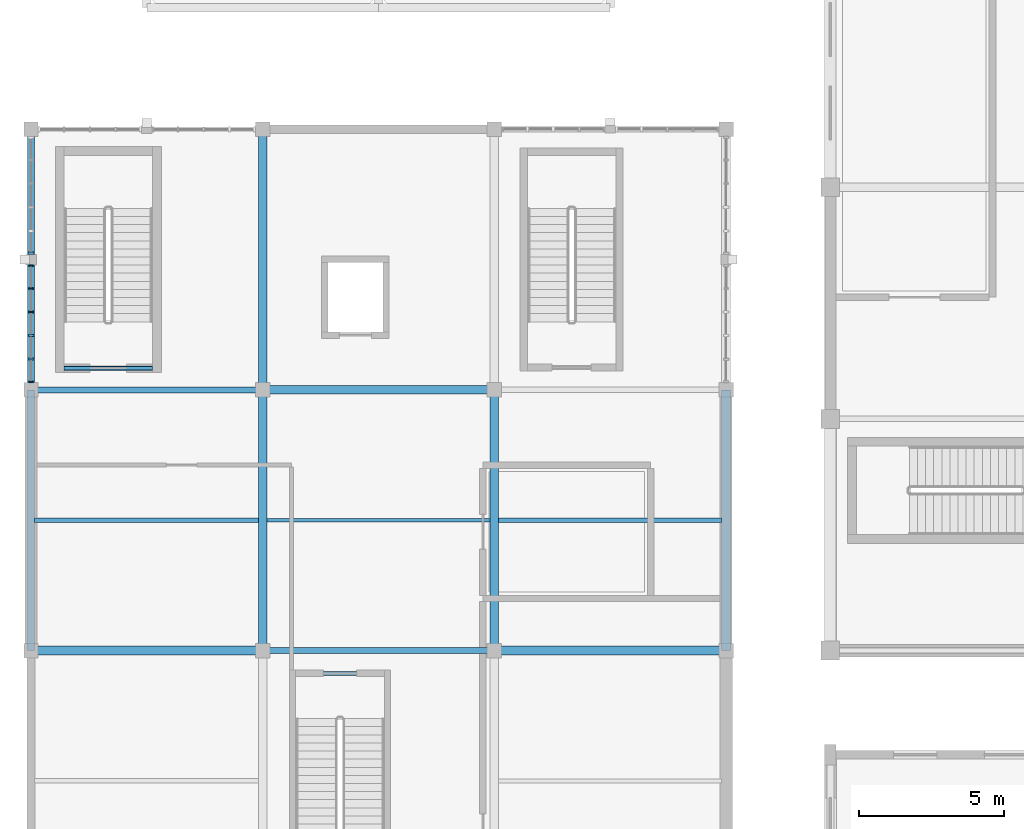
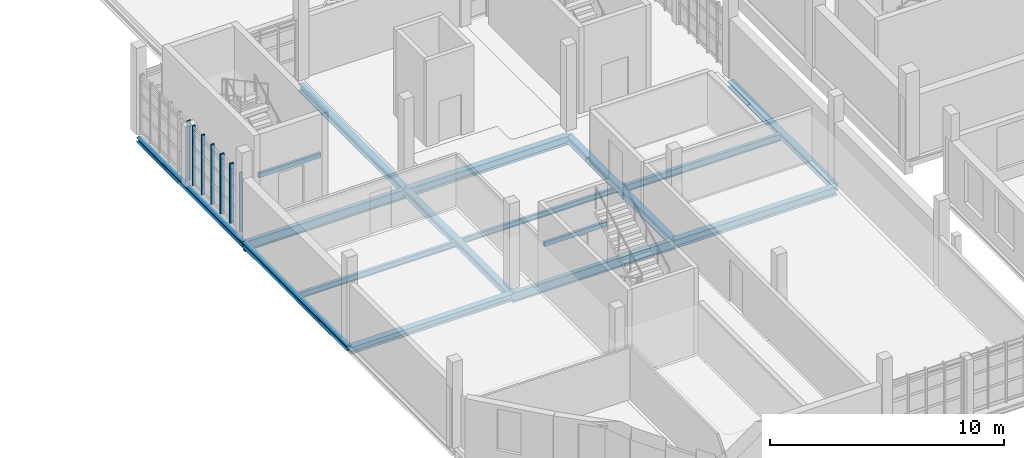
# One storey, part 15 of 125: 16 beams, 7 members, 2 elements without a shape of their own.
"""IFC4 building model written with IfcOpenShell, lengths in metres."""

from ifc_helpers import new_model, si_unit, direction, frame, origin, origin_2d, place, context, subcontext, project, spatial, rectangle, hollow_rectangle, i_section, extrude, material, material_profile, profile_set, type_object, element, aggregate, save


model = new_model("IFC4")

# Units and contexts
model_context = context("Model", 3, precision=1e-05, world=origin(), true_north=direction((0.0, 1.0)))
body_context = subcontext(model_context, "Body", "Model", "MODEL_VIEW")
ifc_project = project(units=[si_unit("LENGTHUNIT", "METRE"), si_unit("AREAUNIT", "SQUARE_METRE"), si_unit("VOLUMEUNIT", "CUBIC_METRE"), si_unit("PLANEANGLEUNIT", "RADIAN"), si_unit("MASSUNIT", "GRAM", prefix="KILO")], contexts=[model_context])

# Site, building, storey
site_placement = place(None, origin())
site = spatial("IfcSite", under=ifc_project, at=site_placement, CompositionType="ELEMENT")
building_placement = place(site_placement, origin())
building = spatial("IfcBuilding", under=site, at=building_placement, Name="Serraforn Aerial Cableway Station", CompositionType="ELEMENT")
storey_placement = place(building_placement, frame((0.0, 0.0, 4.5)))
storey = spatial("IfcBuildingStorey", under=building, at=storey_placement, Name="L01", CompositionType="ELEMENT", Elevation=4.5)

# Beams
ifc_material_1 = material(Name="Steel S355JR", Category="steel")
ifc_material_profile_1 = material_profile(ifc_material_1, i_section(OverallWidth=0.239990234375, OverallDepth=0.239990234375, WebThickness=0.007568359375, FlangeThickness=0.011962890625, FilletRadius=0.02099609375, at=origin_2d()), Name="HEA 240")
ifc_profile_set_1 = profile_set([ifc_material_profile_1], Name="Steel S355JR")
beam_type_1 = type_object("IfcBeamType", Name="BM-ST-HEA240", PredefinedType="BEAM", material=ifc_profile_set_1)
for number, where, z_axis, x_axis, name in (
    (1, (0.0, 18.0, -0.43994140625), (0.0, 1.0, 0.0), (-1.0, 0.0, 0.0), "Grid Girder Y W L01 X1-2"),
    (2, (0.0, 27.0, -0.43994140625), (0.0, 1.0, 0.0), (-1.0, 0.0, 0.0), "Grid Girder Y W L01 X1-3"),
):
    element("IfcBeam", number, at=place(storey_placement, frame(where, z_axis=z_axis, x_axis=x_axis)), inside=storey, type_object=beam_type_1, Name=name, PredefinedType="BEAM", context=body_context, shape_type="SweptSolid", body=[
        extrude(i_section(OverallWidth=0.239990234375, OverallDepth=0.239990234375, WebThickness=0.007568359375, FlangeThickness=0.011962890625, FilletRadius=0.02099609375, at=origin_2d()), origin(), (0.0, 0.0, 1.0), 9.0),
    ])
ifc_material_profile_2 = material_profile(ifc_material_1, i_section(OverallWidth=0.300048828125, OverallDepth=0.360107421875, WebThickness=0.010009765625, FlangeThickness=0.017578125, FilletRadius=0.027099609375, at=origin_2d()), Name="HEA 360")
ifc_profile_set_2 = profile_set([ifc_material_profile_2], Name="Steel S355JR")
beam_type_2 = type_object("IfcBeamType", Name="BM-ST-HEA360", PredefinedType="BEAM", material=ifc_profile_set_2)
for number, where, z_axis, x_axis, name in (
    (3, (8.0, 18.0, -0.5), (0.0, 1.0, 0.0), (-1.0, 0.0, 0.0), "Grid Girder Y W L01 X2-3"),
    (4, (8.0, 27.0, -0.5), (0.0, 1.0, 0.0), (-1.0, 0.0, 0.0), "Grid Girder Y W L01 X2-4"),
    (5, (16.0, 18.0, -0.5), (0.0, 1.0, 0.0), (-1.0, 0.0, 0.0), "Grid Girder Y W L01 X3-3"),
):
    element("IfcBeam", number, at=place(storey_placement, frame(where, z_axis=z_axis, x_axis=x_axis)), inside=storey, type_object=beam_type_2, Name=name, PredefinedType="BEAM", context=body_context, shape_type="SweptSolid", body=[
        extrude(i_section(OverallWidth=0.300048828125, OverallDepth=0.360107421875, WebThickness=0.010009765625, FlangeThickness=0.017578125, FilletRadius=0.027099609375, at=origin_2d()), origin(), (0.0, 0.0, 1.0), 9.0),
    ])
ifc_material_profile_3 = material_profile(ifc_material_1, i_section(OverallWidth=0.300048828125, OverallDepth=0.449951171875, WebThickness=0.011474609375, FlangeThickness=0.02099609375, FilletRadius=0.027099609375, at=origin_2d()), Name="HEA 450")
ifc_profile_set_3 = profile_set([ifc_material_profile_3], Name="Steel S355JR")
beam_type_3 = type_object("IfcBeamType", Name="BM-ST-HEA450", PredefinedType="USERDEFINED", material=ifc_profile_set_3)
for number, where, z_axis, x_axis, name in (
    (6, (16.0, 18.0, -0.544921875), (1.0, 0.0, 0.0), (0.0, 1.0, 0.0), "Grid Girder X W L01 Y3-3"),
    (7, (8.0, 27.0, -0.544921875), (1.0, 0.0, 0.0), (0.0, 1.0, 0.0), "Grid Girder X W L01 Y4-2"),
):
    element("IfcBeam", number, at=place(storey_placement, frame(where, z_axis=z_axis, x_axis=x_axis)), inside=storey, type_object=beam_type_3, Name=name, ObjectType="GIRDER", PredefinedType="USERDEFINED", context=body_context, shape_type="SweptSolid", body=[
        extrude(i_section(OverallWidth=0.300048828125, OverallDepth=0.449951171875, WebThickness=0.011474609375, FlangeThickness=0.02099609375, FilletRadius=0.027099609375, at=origin_2d()), origin(), (0.0, 0.0, 1.0), 8.0),
    ])
ifc_material_2 = material(Name="Steel S355J2", Category="steel")
ifc_material_profile_4 = material_profile(ifc_material_2, i_section(OverallWidth=0.300048828125, OverallDepth=0.300048828125, WebThickness=0.010986328125, FlangeThickness=0.01904296875, FilletRadius=0.027099609375, at=origin_2d()), Name="HEB 300")
ifc_profile_set_4 = profile_set([ifc_material_profile_4], Name="Steel S355J2")
beam_type_4 = type_object("IfcBeamType", Name="BM-ST-HEB300", PredefinedType="BEAM", material=ifc_profile_set_4)
beam_1_placement = place(storey_placement, frame((24.0, 18.0, -0.469970703125), z_axis=(0.0, 1.0, 0.0), x_axis=(-1.0, 0.0, 0.0)))
element("IfcBeam", 8, at=beam_1_placement, inside=storey, type_object=beam_type_4, Name="Grid Girder Y W L01 X4-3", PredefinedType="BEAM", context=body_context, shape_type="SweptSolid", body=[
    extrude(i_section(OverallWidth=0.300048828125, OverallDepth=0.300048828125, WebThickness=0.010986328125, FlangeThickness=0.01904296875, FilletRadius=0.027099609375, at=origin_2d()), origin(), (0.0, 0.0, 1.0), 9.0),
])
ifc_material_profile_5 = material_profile(ifc_material_2, i_section(OverallWidth=0.300048828125, OverallDepth=0.360107421875, WebThickness=0.012451171875, FlangeThickness=0.0224609375, FilletRadius=0.027099609375, at=origin_2d()), Name="HEB 360")
ifc_profile_set_5 = profile_set([ifc_material_profile_5], Name="Steel S355J2")
beam_type_5 = type_object("IfcBeamType", Name="BM-ST-HEB360", PredefinedType="USERDEFINED", material=ifc_profile_set_5)
beam_2_placement = place(storey_placement, frame((0.0, 18.0, -0.5), z_axis=(1.0, 0.0, 0.0), x_axis=(0.0, 1.0, 0.0)))
element("IfcBeam", 9, at=beam_2_placement, inside=storey, type_object=beam_type_5, Name="Grid Girder X W L01 Y3-1", ObjectType="GIRDER", PredefinedType="USERDEFINED", context=body_context, shape_type="SweptSolid", body=[
    extrude(i_section(OverallWidth=0.300048828125, OverallDepth=0.360107421875, WebThickness=0.012451171875, FlangeThickness=0.0224609375, FilletRadius=0.027099609375, at=origin_2d()), origin(), (0.0, 0.0, 1.0), 8.0),
])
ifc_material_profile_6 = material_profile(ifc_material_1, i_section(OverallWidth=0.135009765625, OverallDepth=0.27001953125, WebThickness=0.006591796875, FlangeThickness=0.01025390625, FilletRadius=0.014892578125, at=origin_2d()), Name="IPE 270")
ifc_profile_set_6 = profile_set([ifc_material_profile_6], Name="Steel S355JR")
beam_type_6 = type_object("IfcBeamType", Name="BM-ST-IPE270", PredefinedType="JOIST", material=ifc_profile_set_6)
beam_3_placement = place(storey_placement, frame((8.14990234375, 22.5, -0.409912109375), z_axis=(1.0, 0.0, 0.0), x_axis=(0.0, 1.0, 0.0)))
element("IfcBeam", 10, at=beam_3_placement, inside=storey, type_object=beam_type_6, Name="Floor Joist W-L01-2-3-1", PredefinedType="JOIST", context=body_context, shape_type="SweptSolid", body=[
    extrude(i_section(OverallWidth=0.135009765625, OverallDepth=0.27001953125, WebThickness=0.006591796875, FlangeThickness=0.01025390625, FilletRadius=0.014892578125, at=origin_2d()), origin(), (0.0, 0.0, 1.0), 7.7001953125),
])
ifc_material_profile_7 = material_profile(ifc_material_1, i_section(OverallWidth=0.14990234375, OverallDepth=0.300048828125, WebThickness=0.007080078125, FlangeThickness=0.0107421875, FilletRadius=0.014892578125, at=origin_2d()), Name="IPE 300")
ifc_profile_set_7 = profile_set([ifc_material_profile_7], Name="Steel S355JR")
beam_type_7 = type_object("IfcBeamType", Name="BM-ST-IPE300", PredefinedType="JOIST", material=ifc_profile_set_7)
beam_4_placement = place(storey_placement, frame((0.1201171875, 22.5, -0.445068359375), z_axis=(1.0, 0.0, 0.0), x_axis=(0.0, 1.0, 0.0)))
element("IfcBeam", 11, at=beam_4_placement, inside=storey, type_object=beam_type_7, Name="Floor Joist W-L01-1-3-1", PredefinedType="JOIST", context=body_context, shape_type="SweptSolid", body=[
    extrude(i_section(OverallWidth=0.14990234375, OverallDepth=0.300048828125, WebThickness=0.007080078125, FlangeThickness=0.0107421875, FilletRadius=0.014892578125, at=origin_2d()), origin(), (0.0, 0.0, 1.0), 7.72998046875),
])
ifc_material_profile_8 = material_profile(ifc_material_1, i_section(OverallWidth=0.169921875, OverallDepth=0.360107421875, WebThickness=0.008056640625, FlangeThickness=0.0126953125, FilletRadius=0.01806640625, at=origin_2d()), Name="IPE 360")
ifc_profile_set_8 = profile_set([ifc_material_profile_8], Name="Steel S355JR")
beam_type_8 = type_object("IfcBeamType", Name="BM-ST-IPE360", PredefinedType="JOIST", material=ifc_profile_set_8)
beam_5_placement = place(storey_placement, frame((16.14990234375, 22.5, -0.47509765625), z_axis=(1.0, 0.0, 0.0), x_axis=(0.0, 1.0, 0.0)))
element("IfcBeam", 12, at=beam_5_placement, inside=storey, type_object=beam_type_8, Name="Floor Joist W-L01-3-3-1", PredefinedType="JOIST", context=body_context, shape_type="SweptSolid", body=[
    extrude(i_section(OverallWidth=0.169921875, OverallDepth=0.360107421875, WebThickness=0.008056640625, FlangeThickness=0.0126953125, FilletRadius=0.01806640625, at=origin_2d()), origin(), (0.0, 0.0, 1.0), 7.7001953125),
])
ifc_material_profile_9 = material_profile(ifc_material_1, i_section(OverallWidth=0.199951171875, OverallDepth=0.5, WebThickness=0.01025390625, FlangeThickness=0.01611328125, FilletRadius=0.02099609375, at=origin_2d()), Name="IPE 500")
ifc_profile_set_9 = profile_set([ifc_material_profile_9], Name="Steel S355JR")
beam_type_9 = type_object("IfcBeamType", Name="BM-ST-IPE500", PredefinedType="USERDEFINED", material=ifc_profile_set_9)
for number, where, z_axis, x_axis, name in (
    (13, (8.0, 18.0, -0.570068359375), (1.0, 0.0, 0.0), (0.0, 1.0, 0.0), "Grid Girder X W L01 Y3-2"),
    (14, (0.0, 27.0, -0.570068359375), (1.0, 0.0, 0.0), (0.0, 1.0, 0.0), "Grid Girder X W L01 Y4-1"),
):
    element("IfcBeam", number, at=place(storey_placement, frame(where, z_axis=z_axis, x_axis=x_axis)), inside=storey, type_object=beam_type_9, Name=name, ObjectType="GIRDER", PredefinedType="USERDEFINED", context=body_context, shape_type="SweptSolid", body=[
        extrude(i_section(OverallWidth=0.199951171875, OverallDepth=0.5, WebThickness=0.01025390625, FlangeThickness=0.01611328125, FilletRadius=0.02099609375, at=origin_2d()), origin(), (0.0, 0.0, 1.0), 8.0),
    ])
ifc_material_profile_10 = material_profile(ifc_material_2, hollow_rectangle(XDim=0.14990234375, YDim=0.25, WallThickness=0.010009765625, InnerFilletRadius=0.010009765625, OuterFilletRadius=0.02001953125, at=origin_2d()), Name="RHS 250x150x10.0")
ifc_profile_set_10 = profile_set([ifc_material_profile_10], Name="Steel S355J2")
beam_type_10 = type_object("IfcBeamType", Name="BM-ST-RHS250", PredefinedType="LINTEL", material=ifc_profile_set_10)
for number, where, z_axis, x_axis, name in (
    (15, (4.199951171875, 27.75, 2.27490234375), (-1.0, 0.0, 0.0), (0.0, -1.0, 0.0), "Stair Core Door Lintel D-S02"),
    (16, (9.139892578125, 17.2099609375, 2.27490234375), (1.0, 0.0, 0.0), (0.0, 1.0, 0.0), "Stair Core Door Lintel D-S10"),
):
    element("IfcBeam", number, at=place(storey_placement, frame(where, z_axis=z_axis, x_axis=x_axis)), inside=storey, type_object=beam_type_10, Name=name, PredefinedType="LINTEL", context=body_context, shape_type="SweptSolid", body=[
        extrude(hollow_rectangle(XDim=0.14990234375, YDim=0.25, WallThickness=0.010009765625, InnerFilletRadius=0.010009765625, OuterFilletRadius=0.02001953125, at=origin_2d()), origin(), (0.0, 0.0, 1.0), 3.06005859375),
    ])

# Curtain wall, members
ifc_material_3 = material(Name="Anodised bronze unitised curtain wall")
curtain_wall_type_1 = type_object("IfcCurtainWallType", Name="CW-SYS-20", PredefinedType="USERDEFINED", material=ifc_material_3)
curtain_wall_1_placement = place(storey_placement, origin())
curtain_wall_1 = element("IfcCurtainWall", 17, at=curtain_wall_1_placement, inside=storey, type_object=curtain_wall_type_1, Name="Unitised Curtain Wall CW-W-L01-W4B", ObjectType="UNITISED CURTAIN WALL", PredefinedType="USERDEFINED")
ifc_material_4 = material(Name="Anodised bronze extruded aluminium", Category="aluminium")
ifc_material_profile_11 = material_profile(ifc_material_4, rectangle(XDim=0.054931640625, YDim=0.139892578125, at=origin_2d()), Name="CW MULLION 55x140")
ifc_profile_set_11 = profile_set([ifc_material_profile_11], Name="Anodised bronze extruded aluminium")
member_type_1 = type_object("IfcMemberType", Name="CW-MUL-1", PredefinedType="MULLION", material=ifc_profile_set_11)
member_1_placement = place(storey_placement, frame((0.0, 31.29248046875, 0.0), z_axis=(0.0, 0.0, 1.0), x_axis=(0.0, -1.0, 0.0)))
member_1 = element("IfcMember", 18, at=member_1_placement, type_object=member_type_1, Name="Curtain Wall Mullion CW-W-L01-W4B-M1", PredefinedType="MULLION", context=body_context, shape_type="SweptSolid", body=[
    extrude(rectangle(XDim=0.054931640625, YDim=0.139892578125, at=origin_2d()), origin(), (0.0, 0.0, 1.0), 3.1201171875),
])
member_2_placement = place(storey_placement, frame((0.0, 27.275390625, 0.0), z_axis=(0.0, 0.0, 1.0), x_axis=(0.0, -1.0, 0.0)))
member_2 = element("IfcMember", 19, at=member_2_placement, type_object=member_type_1, Name="Curtain Wall Mullion CW-W-L01-W4B-M6", PredefinedType="MULLION", context=body_context, shape_type="SweptSolid", body=[
    extrude(rectangle(XDim=0.054931640625, YDim=0.139892578125, at=origin_2d()), origin(), (0.0, 0.0, 1.0), 3.1201171875),
])
ifc_material_profile_12 = material_profile(ifc_material_4, rectangle(XDim=0.06005859375, YDim=0.159912109375, at=origin_2d()), Name="CW MULLION 60x160")
ifc_profile_set_12 = profile_set([ifc_material_profile_12], Name="Anodised bronze extruded aluminium")
member_type_2 = type_object("IfcMemberType", Name="CW-MUL-2", PredefinedType="MULLION", material=ifc_profile_set_12)
member_3_placement = place(storey_placement, frame((0.0, 30.505615234375, 0.0), z_axis=(0.0, 0.0, 1.0), x_axis=(0.0, -1.0, 0.0)))
member_3 = element("IfcMember", 20, at=member_3_placement, type_object=member_type_2, Name="Curtain Wall Mullion CW-W-L01-W4B-M2", PredefinedType="MULLION", context=body_context, shape_type="SweptSolid", body=[
    extrude(rectangle(XDim=0.06005859375, YDim=0.159912109375, at=origin_2d()), origin(), (0.0, 0.0, 1.0), 3.1201171875),
])
ifc_material_profile_13 = material_profile(ifc_material_4, rectangle(XDim=0.06494140625, YDim=0.175048828125, at=origin_2d()), Name="CW MULLION 65x175")
ifc_profile_set_13 = profile_set([ifc_material_profile_13], Name="Anodised bronze extruded aluminium")
member_type_3 = type_object("IfcMemberType", Name="CW-MUL-3", PredefinedType="MULLION", material=ifc_profile_set_13)
member_4_placement = place(storey_placement, frame((0.0, 29.691162109375, 0.0), z_axis=(0.0, 0.0, 1.0), x_axis=(0.0, -1.0, 0.0)))
member_4 = element("IfcMember", 21, at=member_4_placement, type_object=member_type_3, Name="Curtain Wall Mullion CW-W-L01-W4B-M3", PredefinedType="MULLION", context=body_context, shape_type="SweptSolid", body=[
    extrude(rectangle(XDim=0.06494140625, YDim=0.175048828125, at=origin_2d()), origin(), (0.0, 0.0, 1.0), 3.1201171875),
])
ifc_material_profile_14 = material_profile(ifc_material_4, rectangle(XDim=0.070068359375, YDim=0.18994140625, at=origin_2d()), Name="CW MULLION 70x190")
ifc_profile_set_14 = profile_set([ifc_material_profile_14], Name="Anodised bronze extruded aluminium")
member_type_4 = type_object("IfcMemberType", Name="CW-MUL-4", PredefinedType="MULLION", material=ifc_profile_set_14)
member_5_placement = place(storey_placement, frame((0.0, 28.876708984375, 0.0), z_axis=(0.0, 0.0, 1.0), x_axis=(0.0, -1.0, 0.0)))
member_5 = element("IfcMember", 22, at=member_5_placement, type_object=member_type_4, Name="Curtain Wall Mullion CW-W-L01-W4B-M4", PredefinedType="MULLION", context=body_context, shape_type="SweptSolid", body=[
    extrude(rectangle(XDim=0.070068359375, YDim=0.18994140625, at=origin_2d()), origin(), (0.0, 0.0, 1.0), 3.1201171875),
])

# Curtain wall, member
curtain_wall_type_2 = type_object("IfcCurtainWallType", Name="CW-SYS-19", PredefinedType="USERDEFINED", material=ifc_material_3)
curtain_wall_2_placement = place(storey_placement, origin())
curtain_wall_2 = element("IfcCurtainWall", 23, at=curtain_wall_2_placement, inside=storey, type_object=curtain_wall_type_2, Name="Unitised Curtain Wall CW-W-L01-W4A", ObjectType="UNITISED CURTAIN WALL", PredefinedType="USERDEFINED")
ifc_material_profile_15 = material_profile(ifc_material_4, rectangle(XDim=0.074951171875, YDim=0.199951171875, at=origin_2d()), Name="CW MULLION 75x200")
ifc_profile_set_15 = profile_set([ifc_material_profile_15], Name="Anodised bronze extruded aluminium")
member_type_5 = type_object("IfcMemberType", Name="CW-MUL-5", PredefinedType="MULLION", material=ifc_profile_set_15)
member_6_placement = place(storey_placement, frame((0.0, 31.717529296875, 0.0), z_axis=(0.0, 0.0, 1.0), x_axis=(0.0, -1.0, 0.0)))
member_6 = element("IfcMember", 24, at=member_6_placement, type_object=member_type_5, Name="Curtain Wall Mullion CW-W-L01-W4A-M6", PredefinedType="MULLION", context=body_context, shape_type="SweptSolid", body=[
    extrude(rectangle(XDim=0.074951171875, YDim=0.199951171875, at=origin_2d()), origin(), (0.0, 0.0, 1.0), 3.1201171875),
])
aggregate(curtain_wall_2, [member_6])

# Member
member_7_placement = place(storey_placement, frame((0.0, 28.0625, 0.0), z_axis=(0.0, 0.0, 1.0), x_axis=(0.0, -1.0, 0.0)))
member_7 = element("IfcMember", 25, at=member_7_placement, type_object=member_type_5, Name="Curtain Wall Mullion CW-W-L01-W4B-M5", PredefinedType="MULLION", context=body_context, shape_type="SweptSolid", body=[
    extrude(rectangle(XDim=0.074951171875, YDim=0.199951171875, at=origin_2d()), origin(), (0.0, 0.0, 1.0), 3.1201171875),
])

aggregate(curtain_wall_1, [member_1, member_3, member_4, member_5, member_7, member_2])

save(model, "model.ifc")
